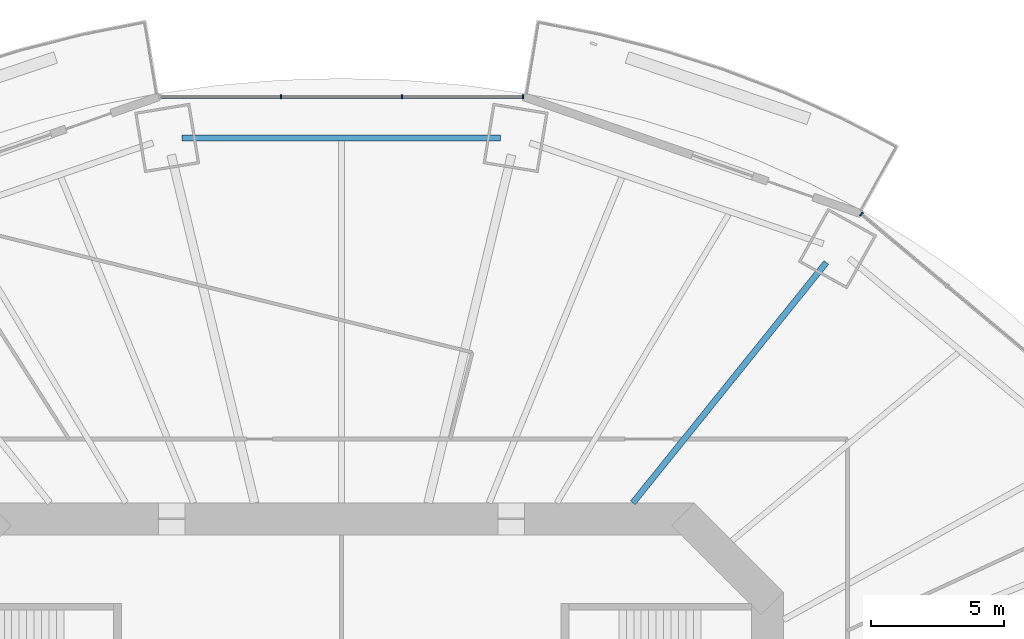
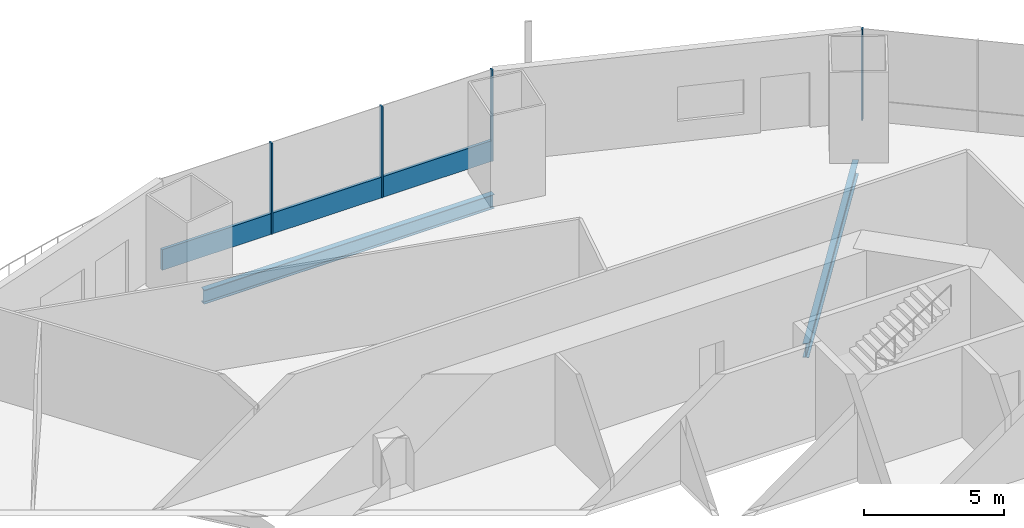
# One storey, part 9 of 22: 5 members, 2 beams, 2 elements without a shape of their own.
"""IFC4 building model written with IfcOpenShell, lengths in metres."""

from ifc_helpers import new_model, si_unit, direction, frame, origin, origin_2d, place, context, subcontext, project, spatial, rectangle, i_section, extrude, material, material_profile, profile_set, type_object, element, aggregate, save


model = new_model("IFC4")

# Units and contexts
model_context = context("Model", 3, precision=1e-05, world=origin(), true_north=direction((0.0, 1.0)))
body_context = subcontext(model_context, "Body", "Model", "MODEL_VIEW")
ifc_project = project(units=[si_unit("LENGTHUNIT", "METRE"), si_unit("AREAUNIT", "SQUARE_METRE"), si_unit("VOLUMEUNIT", "CUBIC_METRE"), si_unit("PLANEANGLEUNIT", "RADIAN"), si_unit("MASSUNIT", "GRAM", prefix="KILO")], contexts=[model_context])

# Site, building, storey
site_placement = place(None, origin())
site = spatial("IfcSite", under=ifc_project, at=site_placement, CompositionType="ELEMENT")
building_placement = place(site_placement, origin())
building = spatial("IfcBuilding", under=site, at=building_placement, Name="Marenthal Gate Tower", CompositionType="ELEMENT")
storey_placement = place(building_placement, frame((0.0, 0.0, 82.800048828125)))
storey = spatial("IfcBuildingStorey", under=building, at=storey_placement, Name="L16", CompositionType="ELEMENT", Elevation=82.800048828125)

# Curtain wall, member
ifc_material_1 = material(Name="Aluminium and glass", Category="aluminium")
curtain_wall_type = type_object("IfcCurtainWallType", Name="Curtain wall typical low", PredefinedType="NOTDEFINED", material=ifc_material_1)
curtain_wall_1_placement = place(storey_placement, origin())
curtain_wall_1 = element("IfcCurtainWall", 1, at=curtain_wall_1_placement, inside=storey, type_object=curtain_wall_type, Name="Curtain wall L16 bay 2", PredefinedType="NOTDEFINED")
ifc_material_2 = material(Name="Aluminium", Category="aluminium")
ifc_material_profile_1 = material_profile(ifc_material_2, rectangle(XDim=0.159912109375, YDim=0.06005859375, at=origin_2d()), Name="60x160 aluminium mullion")
ifc_profile_set_1 = profile_set([ifc_material_profile_1], Name="Aluminium")
member_type_1 = type_object("IfcMemberType", Name="Mullion 60x160 typical low", PredefinedType="MULLION", material=ifc_profile_set_1)
member_1_placement = place(storey_placement, frame((19.529541015625, 24.44091796875, 0.0), z_axis=(0.0, 0.0, 1.0), x_axis=(-0.642228281301, -0.766513427604, 0.0)))
member_1 = element("IfcMember", 2, at=member_1_placement, type_object=member_type_1, Name="Mullion L16 bay 2.4", PredefinedType="MULLION", context=body_context, shape_type="SweptSolid", body=[
    extrude(rectangle(XDim=0.159912109375, YDim=0.06005859375, at=origin_2d()), origin(), (0.0, 0.0, 1.0), 3.969970703125),
])
aggregate(curtain_wall_1, [member_1])

# Curtain wall, members
curtain_wall_2_placement = place(storey_placement, origin())
curtain_wall_2 = element("IfcCurtainWall", 3, at=curtain_wall_2_placement, inside=storey, type_object=curtain_wall_type, Name="Curtain wall L16 bay 4", PredefinedType="NOTDEFINED")
member_2_placement = place(storey_placement, frame((6.81982421875, 28.852783203125, 0.0), z_axis=(0.0, 0.0, 1.0), x_axis=(0.0, -1.0, 0.0)))
member_2 = element("IfcMember", 4, at=member_2_placement, type_object=member_type_1, Name="Mullion L16 bay 4.1", PredefinedType="MULLION", context=body_context, shape_type="SweptSolid", body=[
    extrude(rectangle(XDim=0.159912109375, YDim=0.06005859375, at=origin_2d()), origin(), (0.0, 0.0, 1.0), 3.969970703125),
])
member_3_placement = place(storey_placement, frame((2.273193359375, 28.852783203125, 0.0), z_axis=(0.0, 0.0, 1.0), x_axis=(0.0, -1.0, 0.0)))
member_3 = element("IfcMember", 5, at=member_3_placement, type_object=member_type_1, Name="Mullion L16 bay 4.2", PredefinedType="MULLION", context=body_context, shape_type="SweptSolid", body=[
    extrude(rectangle(XDim=0.159912109375, YDim=0.06005859375, at=origin_2d()), origin(), (0.0, 0.0, 1.0), 3.969970703125),
])
member_4_placement = place(storey_placement, frame((-2.273193359375, 28.852783203125, 0.0), z_axis=(0.0, 0.0, 1.0), x_axis=(0.0, -1.0, 0.0)))
member_4 = element("IfcMember", 6, at=member_4_placement, type_object=member_type_1, Name="Mullion L16 bay 4.3", PredefinedType="MULLION", context=body_context, shape_type="SweptSolid", body=[
    extrude(rectangle(XDim=0.159912109375, YDim=0.06005859375, at=origin_2d()), origin(), (0.0, 0.0, 1.0), 3.969970703125),
])
ifc_material_3 = material(Name="Aluminium", Category="aluminium")
ifc_material_profile_2 = material_profile(ifc_material_3, rectangle(XDim=0.1201171875, YDim=0.89990234375, at=origin_2d()), Name="120x900 aluminium transom")
ifc_profile_set_2 = profile_set([ifc_material_profile_2], Name="Aluminium")
member_type_2 = type_object("IfcMemberType", Name="Transom 120x900 typical low", PredefinedType="USERDEFINED", material=ifc_profile_set_2)
member_5_placement = place(storey_placement, frame((6.789794921875, 28.852783203125, 0.449951171875), z_axis=(-1.0, 0.0, 0.0), x_axis=(0.0, -1.0, 0.0)))
member_5 = element("IfcMember", 7, at=member_5_placement, type_object=member_type_2, Name="Transom L16 bay 4", ObjectType="TRANSOM", PredefinedType="USERDEFINED", context=body_context, shape_type="SweptSolid", body=[
    extrude(rectangle(XDim=0.1201171875, YDim=0.89990234375, at=origin_2d()), origin(), (0.0, 0.0, 1.0), 13.57958984375),
])
aggregate(curtain_wall_2, [member_2, member_3, member_4, member_5])

# Beams
ifc_material_4 = material(Name="Steel S355", Category="steel")
ifc_material_profile_3 = material_profile(ifc_material_4, i_section(OverallWidth=0.22900390625, OverallDepth=0.612060546875, WebThickness=0.011962890625, FlangeThickness=0.01953125, FilletRadius=0.0126953125, at=origin_2d()), Name="W610X125")
ifc_profile_set_3 = profile_set([ifc_material_profile_3], Name="Steel S355")
beam_type = type_object("IfcBeamType", Name="W610X125 beam", PredefinedType="BEAM", material=ifc_profile_set_3)
beam_1_placement = place(storey_placement, frame((18.210693359375, 22.626708984375, -0.486083984375), z_axis=(-0.626999737325, -0.779019466634, 0.0), x_axis=(0.779019466634, -0.626999737325, 0.0)))
element("IfcBeam", 8, at=beam_1_placement, inside=storey, type_object=beam_type, Name="BM-L16-03", PredefinedType="BEAM", context=body_context, shape_type="SweptSolid", body=[
    extrude(i_section(OverallWidth=0.22900390625, OverallDepth=0.612060546875, WebThickness=0.011962890625, FlangeThickness=0.01953125, FilletRadius=0.0126953125, at=origin_2d()), origin(), (0.0, 0.0, 1.0), 11.587158203125),
])
beam_2_placement = place(storey_placement, frame((5.977294921875, 27.302978515625, -0.486083984375), z_axis=(-1.0, 0.0, 0.0), x_axis=(0.0, -1.0, 0.0)))
element("IfcBeam", 9, at=beam_2_placement, inside=storey, type_object=beam_type, Name="BM-L16-44", PredefinedType="BEAM", context=body_context, shape_type="SweptSolid", body=[
    extrude(i_section(OverallWidth=0.22900390625, OverallDepth=0.612060546875, WebThickness=0.011962890625, FlangeThickness=0.01953125, FilletRadius=0.0126953125, at=origin_2d()), origin(), (0.0, 0.0, 1.0), 11.95458984375),
])

save(model, "model.ifc")
